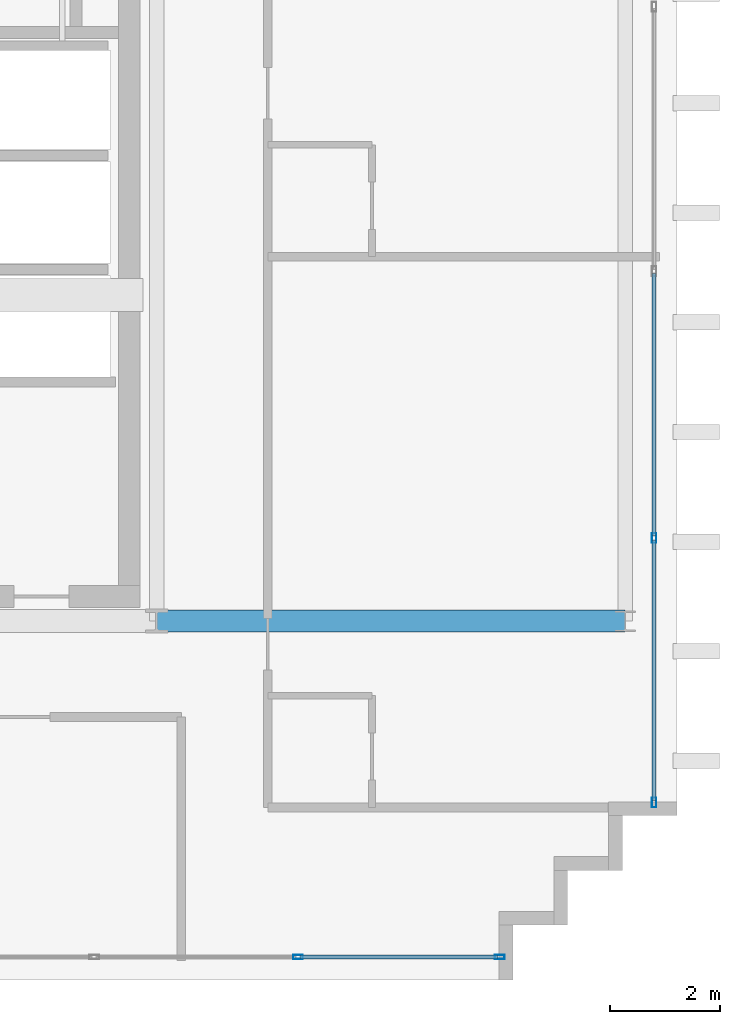
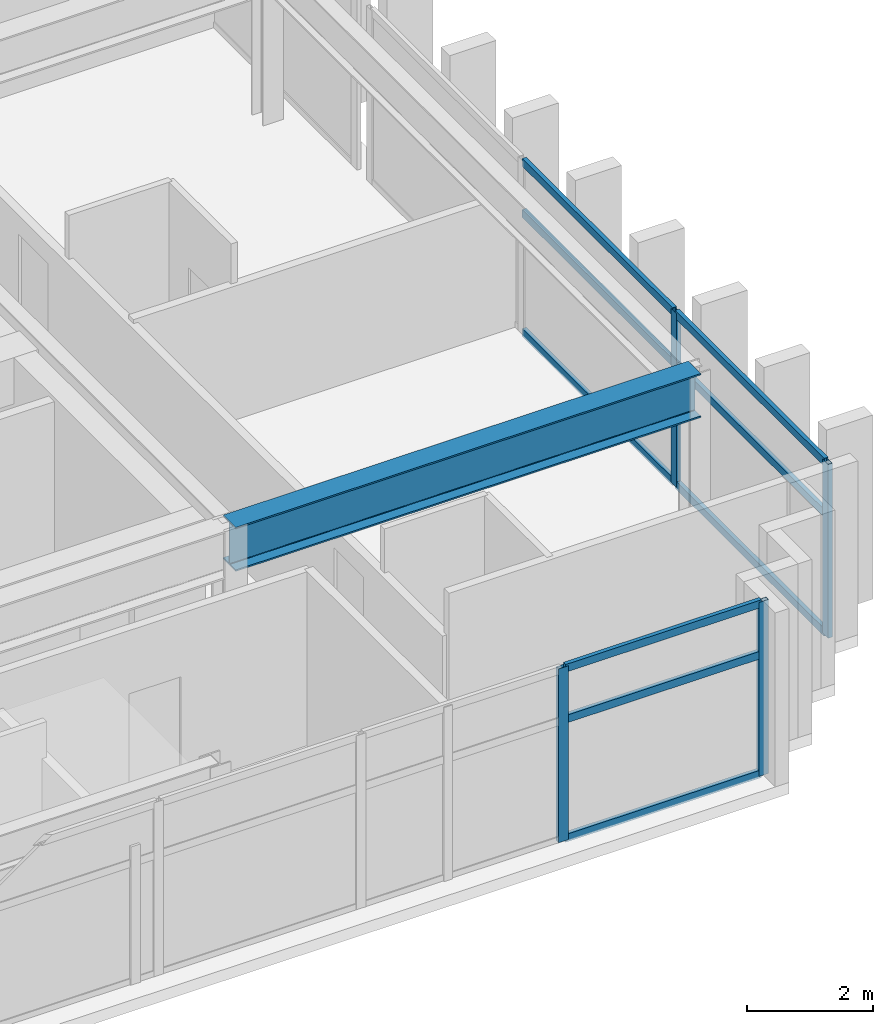
# One storey, part 4 of 15: 13 members, 1 beam, 2 elements without a shape of their own.
"""IFC4 building model written with IfcOpenShell, lengths in metres."""

from ifc_helpers import new_model, si_unit, direction, frame, origin, origin_2d, place, context, subcontext, project, spatial, hollow_rectangle, i_section, extrude, source, transform, mapped, material, layer, layer_set, material_profile, profile_set, type_object, element, aggregate, save


model = new_model("IFC4")

# Units and contexts
model_context = context("Model", 3, precision=1e-05, world=origin(), true_north=direction((0.0, 1.0)))
body_context = subcontext(model_context, "Body", "Model", "MODEL_VIEW")
ifc_project = project(units=[si_unit("LENGTHUNIT", "METRE"), si_unit("AREAUNIT", "SQUARE_METRE"), si_unit("VOLUMEUNIT", "CUBIC_METRE"), si_unit("PLANEANGLEUNIT", "RADIAN"), si_unit("MASSUNIT", "GRAM", prefix="KILO")], contexts=[model_context])

# Site, building, storey
site_placement = place(None, origin())
site = spatial("IfcSite", under=ifc_project, at=site_placement, CompositionType="ELEMENT")
building_placement = place(site_placement, origin())
building = spatial("IfcBuilding", under=site, at=building_placement, Name="Ocotamira Hotel", CompositionType="ELEMENT")
storey_placement = place(building_placement, frame((0.0, 0.0, 279.60009765625)))
storey = spatial("IfcBuildingStorey", under=building, at=storey_placement, Name="L71", CompositionType="ELEMENT", Elevation=279.60009765625)

# Beam
ifc_material_1 = material(Name="Steel ASTM A992 Grade 50", Category="steel")
ifc_material_profile_1 = material_profile(ifc_material_1, i_section(OverallWidth=0.39990234375, OverallDepth=0.85595703125, WebThickness=0.018310546875, FlangeThickness=0.029296875, FilletRadius=0.02001953125, at=origin_2d()), Name="W33X201")
ifc_profile_set_1 = profile_set([ifc_material_profile_1], Name="Steel ASTM A992 Grade 50")
beam_type = type_object("IfcBeamType", Name="BM-GIRD-W33X201", PredefinedType="BEAM", material=ifc_profile_set_1)
shared_shape_1 = source(origin(), body_context, "Body", "SweptSolid", [
    extrude(i_section(OverallWidth=0.39990234375, OverallDepth=0.85595703125, WebThickness=0.018310546875, FlangeThickness=0.029296875, FilletRadius=0.02001953125, at=origin_2d()), origin(), (0.0, 0.0, 1.0), 8.550048828125),
])
beam_placement = place(storey_placement, frame((23.5, 14.550048828125, 2.951904296875), z_axis=(1.0, 0.0, 0.0), x_axis=(0.0, 1.0, 0.0)))
element("IfcBeam", 1, at=beam_placement, inside=storey, type_object=beam_type, Name="L71 Girder Y14.55 X23.5-32.05", PredefinedType="BEAM", context=body_context, shape_type="MappedRepresentation", body=[
    mapped(shared_shape_1, transform((0.0, 0.0, 0.0), scale=1.0)),
])

# Curtain wall, members
ifc_material_2 = material(Name="Anodised pale-metal aluminium and solar glass", Category="aluminium")
ifc_layer = layer(ifc_material_2, 0.2099609375)
ifc_layer_set = layer_set([ifc_layer], Name="Anodised pale-metal aluminium and solar glass")
curtain_wall_type = type_object("IfcCurtainWallType", Name="CW-SYS7-PEAK", PredefinedType="NOTDEFINED", material=ifc_layer_set)
curtain_wall_1_placement = place(storey_placement, origin())
curtain_wall_1 = element("IfcCurtainWall", 2, at=curtain_wall_1_placement, inside=storey, type_object=curtain_wall_type, Name="L71 Curtain Wall CW-7 CW-L71-S1", PredefinedType="NOTDEFINED")
ifc_material_3 = material(Name="Anodised pale-metal aluminium 6063-T6", Category="aluminium")
ifc_material_profile_2 = material_profile(ifc_material_3, hollow_rectangle(XDim=0.080078125, YDim=0.179931640625, WallThickness=0.006103515625, at=origin_2d()), Name="HSS180X80X6")
ifc_profile_set_2 = profile_set([ifc_material_profile_2], Name="Anodised pale-metal aluminium 6063-T6")
member_type_1 = type_object("IfcMemberType", Name="CWM-180X75", PredefinedType="MULLION", material=ifc_profile_set_2)
shared_shape_2 = source(origin(), body_context, "Body", "SweptSolid", [
    extrude(hollow_rectangle(XDim=0.080078125, YDim=0.179931640625, WallThickness=0.006103515625, at=origin_2d()), origin(), (0.0, 0.0, 1.0), 3.3798828125),
])
member_1_placement = place(storey_placement, frame((26.080078125, 8.419921875, 0.0), z_axis=(0.0, 0.0, 1.0), x_axis=(0.0, 1.0, 0.0)))
member_1 = element("IfcMember", 3, at=member_1_placement, type_object=member_type_1, Name="CW-7 mullion 5", PredefinedType="MULLION", context=body_context, shape_type="MappedRepresentation", body=[
    mapped(shared_shape_2, transform((0.0, 0.0, 0.0), scale=1.0)),
])
member_2_placement = place(storey_placement, frame((29.760009765625, 8.419921875, 0.0), z_axis=(0.0, 0.0, 1.0), x_axis=(0.0, 1.0, 0.0)))
member_2 = element("IfcMember", 4, at=member_2_placement, type_object=member_type_1, Name="CW-7 mullion 6", PredefinedType="MULLION", context=body_context, shape_type="MappedRepresentation", body=[
    mapped(shared_shape_2, transform((0.0, 0.0, 0.0), scale=1.0)),
])

curtain_wall_2_placement = place(storey_placement, origin())
curtain_wall_2 = element("IfcCurtainWall", 5, at=curtain_wall_2_placement, inside=storey, type_object=curtain_wall_type, Name="L71 Curtain Wall CW-7 CW-L71-E1", PredefinedType="NOTDEFINED")
member_3_placement = place(storey_placement, frame((32.580078125, 11.239990234375, 0.0), z_axis=(0.0, 0.0, 1.0), x_axis=(-1.0, 0.0, 0.0)))
member_3 = element("IfcMember", 6, at=member_3_placement, type_object=member_type_1, Name="CW-7 mullion 1", PredefinedType="MULLION", context=body_context, shape_type="MappedRepresentation", body=[
    mapped(shared_shape_2, transform((0.0, 0.0, 0.0), scale=1.0)),
])
member_4_placement = place(storey_placement, frame((32.580078125, 16.066650390625, 0.0), z_axis=(0.0, 0.0, 1.0), x_axis=(-1.0, 0.0, 0.0)))
member_4 = element("IfcMember", 7, at=member_4_placement, type_object=member_type_1, Name="CW-7 mullion 2", PredefinedType="MULLION", context=body_context, shape_type="MappedRepresentation", body=[
    mapped(shared_shape_2, transform((0.0, 0.0, 0.0), scale=1.0)),
])

# Member
ifc_material_profile_3 = material_profile(ifc_material_3, hollow_rectangle(XDim=0.074951171875, YDim=0.14990234375, WallThickness=0.006103515625, at=origin_2d()), Name="HSS150X75X6")
ifc_profile_set_3 = profile_set([ifc_material_profile_3], Name="Anodised pale-metal aluminium 6063-T6")
member_type_2 = type_object("IfcMemberType", Name="CWT-150X75", PredefinedType="USERDEFINED", material=ifc_profile_set_3)
shared_shape_3 = source(origin(), body_context, "Body", "SweptSolid", [
    extrude(hollow_rectangle(XDim=0.074951171875, YDim=0.14990234375, WallThickness=0.006103515625, at=origin_2d()), origin(), (0.0, 0.0, 1.0), 3.599853515625),
])
member_5_placement = place(storey_placement, frame((26.1201171875, 8.419921875, 0.037353515625), z_axis=(1.0, 0.0, 0.0), x_axis=(0.0, 1.0, 0.0)))
member_5 = element("IfcMember", 8, at=member_5_placement, type_object=member_type_2, Name="CW-7 transom 5.1", ObjectType="TRANSOM", PredefinedType="USERDEFINED", context=body_context, shape_type="MappedRepresentation", body=[
    mapped(shared_shape_3, transform((0.0, 0.0, 0.0), scale=1.0)),
])

member_6_placement = place(storey_placement, frame((26.1201171875, 8.419921875, 2.349853515625), z_axis=(1.0, 0.0, 0.0), x_axis=(0.0, 1.0, 0.0)))
member_6 = element("IfcMember", 9, at=member_6_placement, type_object=member_type_2, Name="CW-7 transom 5.2", ObjectType="TRANSOM", PredefinedType="USERDEFINED", context=body_context, shape_type="MappedRepresentation", body=[
    mapped(shared_shape_3, transform((0.0, 0.0, 0.0), scale=1.0)),
])

member_7_placement = place(storey_placement, frame((26.1201171875, 8.419921875, 3.34228515625), z_axis=(1.0, 0.0, 0.0), x_axis=(0.0, 1.0, 0.0)))
member_7 = element("IfcMember", 10, at=member_7_placement, type_object=member_type_2, Name="CW-7 transom 5.3", ObjectType="TRANSOM", PredefinedType="USERDEFINED", context=body_context, shape_type="MappedRepresentation", body=[
    mapped(shared_shape_3, transform((0.0, 0.0, 0.0), scale=1.0)),
])

aggregate(curtain_wall_1, [member_1, member_2, member_5, member_6, member_7])

shared_shape_4 = source(origin(), body_context, "Body", "SweptSolid", [
    extrude(hollow_rectangle(XDim=0.074951171875, YDim=0.14990234375, WallThickness=0.006103515625, at=origin_2d()), origin(), (0.0, 0.0, 1.0), 4.74658203125),
])
member_8_placement = place(storey_placement, frame((32.580078125, 11.280029296875, 0.037353515625), z_axis=(0.0, 1.0, 0.0), x_axis=(-1.0, 0.0, 0.0)))
member_8 = element("IfcMember", 11, at=member_8_placement, type_object=member_type_2, Name="CW-7 transom 1.1", ObjectType="TRANSOM", PredefinedType="USERDEFINED", context=body_context, shape_type="MappedRepresentation", body=[
    mapped(shared_shape_4, transform((0.0, 0.0, 0.0), scale=1.0)),
])

member_9_placement = place(storey_placement, frame((32.580078125, 11.280029296875, 2.349853515625), z_axis=(0.0, 1.0, 0.0), x_axis=(-1.0, 0.0, 0.0)))
member_9 = element("IfcMember", 12, at=member_9_placement, type_object=member_type_2, Name="CW-7 transom 1.2", ObjectType="TRANSOM", PredefinedType="USERDEFINED", context=body_context, shape_type="MappedRepresentation", body=[
    mapped(shared_shape_4, transform((0.0, 0.0, 0.0), scale=1.0)),
])

member_10_placement = place(storey_placement, frame((32.580078125, 11.280029296875, 3.34228515625), z_axis=(0.0, 1.0, 0.0), x_axis=(-1.0, 0.0, 0.0)))
member_10 = element("IfcMember", 13, at=member_10_placement, type_object=member_type_2, Name="CW-7 transom 1.3", ObjectType="TRANSOM", PredefinedType="USERDEFINED", context=body_context, shape_type="MappedRepresentation", body=[
    mapped(shared_shape_4, transform((0.0, 0.0, 0.0), scale=1.0)),
])

shared_shape_5 = source(origin(), body_context, "Body", "SweptSolid", [
    extrude(hollow_rectangle(XDim=0.074951171875, YDim=0.14990234375, WallThickness=0.006103515625, at=origin_2d()), origin(), (0.0, 0.0, 1.0), 4.78662109375),
])
member_11_placement = place(storey_placement, frame((32.580078125, 16.106689453125, 0.037353515625), z_axis=(0.0, 1.0, 0.0), x_axis=(-1.0, 0.0, 0.0)))
member_11 = element("IfcMember", 14, at=member_11_placement, type_object=member_type_2, Name="CW-7 transom 2.1", ObjectType="TRANSOM", PredefinedType="USERDEFINED", context=body_context, shape_type="MappedRepresentation", body=[
    mapped(shared_shape_5, transform((0.0, 0.0, 0.0), scale=1.0)),
])

member_12_placement = place(storey_placement, frame((32.580078125, 16.106689453125, 2.349853515625), z_axis=(0.0, 1.0, 0.0), x_axis=(-1.0, 0.0, 0.0)))
member_12 = element("IfcMember", 15, at=member_12_placement, type_object=member_type_2, Name="CW-7 transom 2.2", ObjectType="TRANSOM", PredefinedType="USERDEFINED", context=body_context, shape_type="MappedRepresentation", body=[
    mapped(shared_shape_5, transform((0.0, 0.0, 0.0), scale=1.0)),
])

member_13_placement = place(storey_placement, frame((32.580078125, 16.106689453125, 3.34228515625), z_axis=(0.0, 1.0, 0.0), x_axis=(-1.0, 0.0, 0.0)))
member_13 = element("IfcMember", 16, at=member_13_placement, type_object=member_type_2, Name="CW-7 transom 2.3", ObjectType="TRANSOM", PredefinedType="USERDEFINED", context=body_context, shape_type="MappedRepresentation", body=[
    mapped(shared_shape_5, transform((0.0, 0.0, 0.0), scale=1.0)),
])

aggregate(curtain_wall_2, [member_3, member_4, member_8, member_9, member_10, member_11, member_12, member_13])

save(model, "model.ifc")
